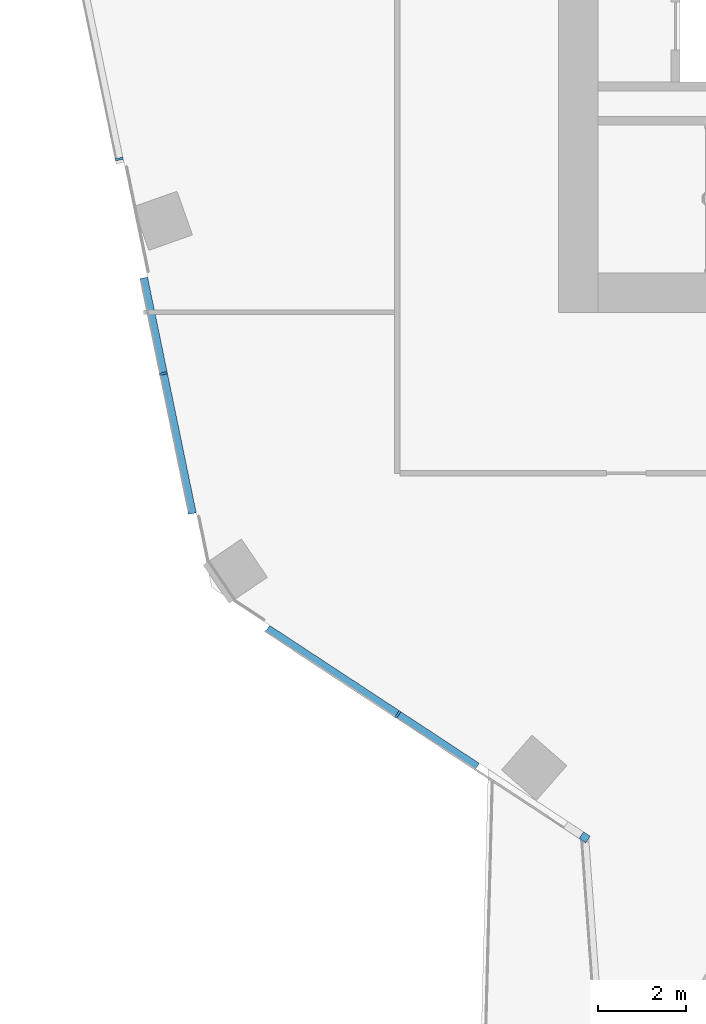
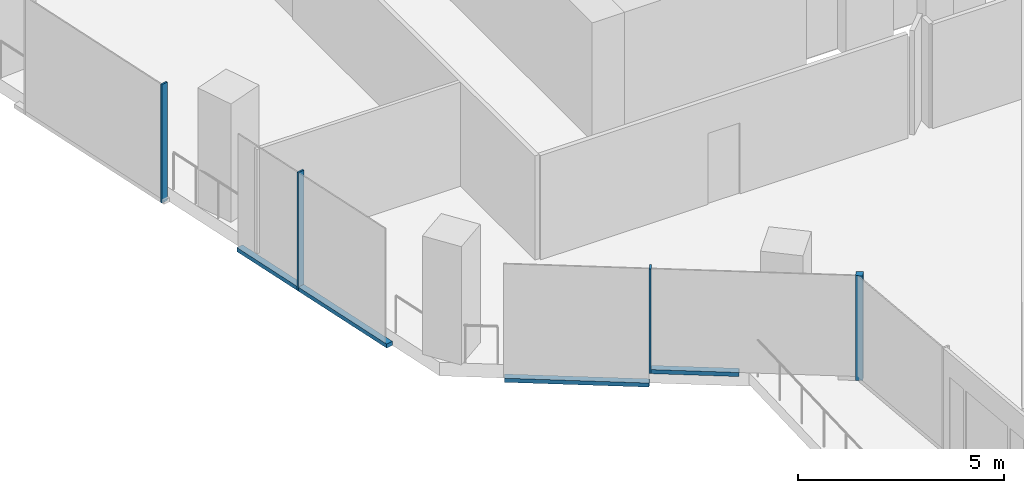
# One storey, part 3 of 26: 7 members, 2 elements without a shape of their own.
"""IFC4 building model written with IfcOpenShell, lengths in metres."""

from ifc_helpers import new_model, si_unit, direction, frame, origin, origin_2d, place, context, subcontext, project, spatial, rectangle, extrude, material, material_profile, profile_set, type_object, element, aggregate, save


model = new_model("IFC4")

# Units and contexts
model_context = context("Model", 3, precision=1e-05, world=origin(), true_north=direction((0.0, 1.0)))
body_context = subcontext(model_context, "Body", "Model", "MODEL_VIEW")
ifc_project = project(units=[si_unit("LENGTHUNIT", "METRE"), si_unit("AREAUNIT", "SQUARE_METRE"), si_unit("VOLUMEUNIT", "CUBIC_METRE"), si_unit("PLANEANGLEUNIT", "RADIAN"), si_unit("MASSUNIT", "GRAM", prefix="KILO")], contexts=[model_context])

# Site, building, storey
site_placement = place(None, origin())
site = spatial("IfcSite", under=ifc_project, at=site_placement, CompositionType="ELEMENT")
building_placement = place(site_placement, origin())
building = spatial("IfcBuilding", under=site, at=building_placement, Name="Orlundy Tower", CompositionType="ELEMENT")
storey_placement = place(building_placement, frame((0.0, 0.0, 232.0)))
storey = spatial("IfcBuildingStorey", under=building, at=storey_placement, Name="L61", CompositionType="ELEMENT", Elevation=232.0)

# Curtain wall, members
ifc_material_1 = material(Name="Aluminium bronze anodised", Category="aluminium")
curtain_wall_type = type_object("IfcCurtainWallType", Name="CW1 wall", PredefinedType="NOTDEFINED", material=ifc_material_1)
curtain_wall_1_placement = place(storey_placement, origin())
curtain_wall_1 = element("IfcCurtainWall", 1, at=curtain_wall_1_placement, inside=storey, type_object=curtain_wall_type, Name="CW1 run 013", PredefinedType="NOTDEFINED")
ifc_material_2 = material(Name="Aluminium bronze anodised", Category="aluminium")
ifc_material_profile_1 = material_profile(ifc_material_2, rectangle(XDim=0.179931640625, YDim=0.179931640625, at=origin_2d()), Name="CW1 corner post 180x180")
ifc_profile_set_1 = profile_set([ifc_material_profile_1], Name="Aluminium bronze anodised")
member_type_1 = type_object("IfcMemberType", Name="CW1 corner post 180x180", PredefinedType="MULLION", material=ifc_profile_set_1)
member_1_placement = place(storey_placement, frame((-18.401611328125, -23.911865234375, 0.0), z_axis=(0.0, 0.0, 1.0), x_axis=(-0.54952678446, -0.835476099694, 0.0)))
member_1 = element("IfcMember", 2, at=member_1_placement, type_object=member_type_1, Name="CW1 mullion 20", PredefinedType="MULLION", context=body_context, shape_type="SweptSolid", body=[
    extrude(rectangle(XDim=0.179931640625, YDim=0.179931640625, at=origin_2d()), origin(), (0.0, 0.0, 1.0), 3.10009765625),
])
ifc_material_3 = material(Name="Aluminium bronze anodised", Category="aluminium")
ifc_material_profile_2 = material_profile(ifc_material_3, rectangle(XDim=0.179931640625, YDim=0.050048828125, at=origin_2d()), Name="CW1 mullion 50x180")
ifc_profile_set_2 = profile_set([ifc_material_profile_2], Name="Aluminium bronze anodised")
member_type_2 = type_object("IfcMemberType", Name="CW1 mullion 50x180", PredefinedType="MULLION", material=ifc_profile_set_2)
member_2_placement = place(storey_placement, frame((-22.640380859375, -21.123779296875, 0.0), z_axis=(0.0, 0.0, 1.0), x_axis=(-0.54952678446, -0.835476099694, 0.0)))
member_2 = element("IfcMember", 3, at=member_2_placement, type_object=member_type_2, Name="CW1 mullion 21", PredefinedType="MULLION", context=body_context, shape_type="SweptSolid", body=[
    extrude(rectangle(XDim=0.179931640625, YDim=0.050048828125, at=origin_2d()), origin(), (0.0, 0.0, 1.0), 3.10009765625),
])

curtain_wall_2_placement = place(storey_placement, origin())
curtain_wall_2 = element("IfcCurtainWall", 4, at=curtain_wall_2_placement, inside=storey, type_object=curtain_wall_type, Name="CW1 run 014", PredefinedType="NOTDEFINED")
member_3_placement = place(storey_placement, frame((-27.96044921875, -13.386474609375, -0.39990234375), z_axis=(0.0, 0.0, 1.0), x_axis=(-0.979337428215, -0.202233038095, 0.0)))
member_3 = element("IfcMember", 5, at=member_3_placement, type_object=member_type_2, Name="CW1 mullion 23", PredefinedType="MULLION", context=body_context, shape_type="SweptSolid", body=[
    extrude(rectangle(XDim=0.179931640625, YDim=0.050048828125, at=origin_2d()), origin(), (0.0, 0.0, 1.0), 3.5),
])
member_4_placement = place(storey_placement, frame((-28.965576171875, -8.5185546875, -0.39990234375), z_axis=(0.0, 0.0, 1.0), x_axis=(-0.979337428215, -0.202233038095, 0.0)))
member_4 = element("IfcMember", 6, at=member_4_placement, type_object=member_type_2, Name="CW1 mullion 24", PredefinedType="MULLION", context=body_context, shape_type="SweptSolid", body=[
    extrude(rectangle(XDim=0.179931640625, YDim=0.050048828125, at=origin_2d()), origin(), (0.0, 0.0, 1.0), 3.5),
])

# Member
ifc_material_4 = material(Name="Aluminium bronze anodised", Category="aluminium")
ifc_material_profile_3 = material_profile(ifc_material_4, rectangle(XDim=0.179931640625, YDim=0.1201171875, at=origin_2d()), Name="CW1 transom 180x120")
ifc_profile_set_3 = profile_set([ifc_material_profile_3], Name="Aluminium bronze anodised")
member_type_3 = type_object("IfcMemberType", Name="CW1 transom 180x120", PredefinedType="USERDEFINED", material=ifc_profile_set_3)
member_5_placement = place(storey_placement, frame((-20.8427734375, -22.30615234375, 0.06005859375), z_axis=(-0.835478108758, 0.549523729957, 0.0), x_axis=(-0.549523729957, -0.835478108758, 0.0)))
member_5 = element("IfcMember", 7, at=member_5_placement, type_object=member_type_3, Name="CW1 transom", ObjectType="TRANSOM", PredefinedType="USERDEFINED", context=body_context, shape_type="SweptSolid", body=[
    extrude(rectangle(XDim=0.179931640625, YDim=0.1201171875, at=origin_2d()), origin(), (0.0, 0.0, 1.0), 2.126708984375),
])

member_6_placement = place(storey_placement, frame((-22.661376953125, -21.10986328125, -0.340087890625), z_axis=(-0.835485899562, 0.549511884888, 0.0), x_axis=(-0.549511884888, -0.835485899562, 0.0)))
member_6 = element("IfcMember", 8, at=member_6_placement, type_object=member_type_3, Name="CW1 transom", ObjectType="TRANSOM", PredefinedType="USERDEFINED", context=body_context, shape_type="SweptSolid", body=[
    extrude(rectangle(XDim=0.179931640625, YDim=0.1201171875, at=origin_2d()), origin(), (0.0, 0.0, 1.0), 3.5146484375),
])

aggregate(curtain_wall_1, [member_1, member_2, member_5, member_6])

member_7_placement = place(storey_placement, frame((-27.30419921875, -16.5634765625, -0.340087890625), z_axis=(-0.202261051219, 0.979331643091, 0.0), x_axis=(-0.979331643091, -0.202261051219, 0.0)))
member_7 = element("IfcMember", 9, at=member_7_placement, type_object=member_type_3, Name="CW1 transom", ObjectType="TRANSOM", PredefinedType="USERDEFINED", context=body_context, shape_type="SweptSolid", body=[
    extrude(rectangle(XDim=0.179931640625, YDim=0.1201171875, at=origin_2d()), origin(), (0.0, 0.0, 1.0), 5.45947265625),
])

aggregate(curtain_wall_2, [member_3, member_4, member_7])

save(model, "model.ifc")
